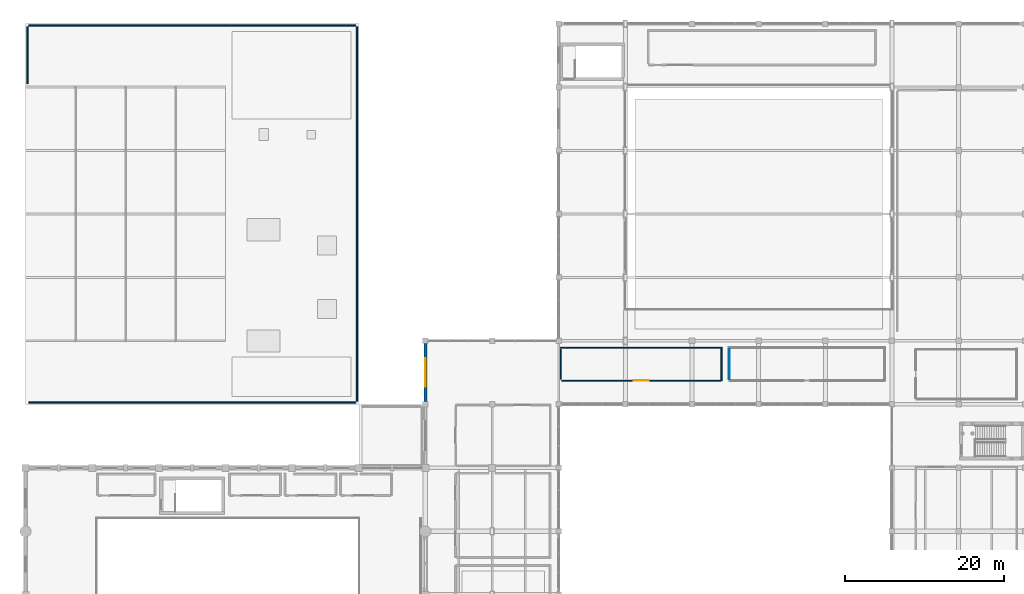
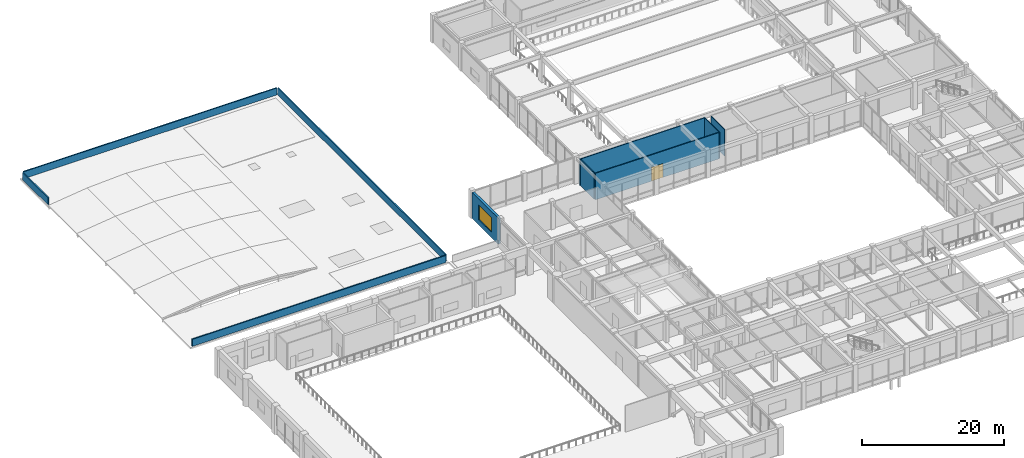
# One storey, part 55 of 76: 10 walls, 1 door, 1 window, 2 openings.
"""IFC4 building model written with IfcOpenShell, lengths in metres."""

import ifcopenshell
import ifcopenshell.guid

model = None  # the IFC model being written
_history = None  # IfcOwnerHistory: only IFC2X3 demands one
_inside = {}  # id of a spatial element -> (the spatial element, [elements in it])
_under = {}  # id of a project, library or spatial element -> (it, [spatial elements below it])
_declared = {}  # id of a project -> (the project, [libraries it declares])
_typed = {}  # id of a type object -> (the type object, [elements of that type])
_made_of = {}  # id of a material, layer set ... -> (it, [elements and type objects made of it])


def new_model(schema):
    """Start an empty IFC model of exactly this schema.

    Asked for "IFC4X3", IfcOpenShell would pick the latest addendum, in which some entities
    have other attributes; the version numbers below select the first issue.
    IFC2X3 requires an IfcOwnerHistory on every rooted entity: one is made here for all.
    """
    global model, _history
    if schema == "IFC4X3":
        model = ifcopenshell.file(schema_version=(4, 3, 0, 0))
    else:
        model = ifcopenshell.file(schema=schema)
    _inside.clear()
    _under.clear()
    _declared.clear()
    _typed.clear()
    _made_of.clear()
    _history = None
    if model.schema == "IFC2X3":
        org = make("IfcOrganization", Name="unknown")
        user = make(
            "IfcPersonAndOrganization",
            ThePerson=make("IfcPerson", FamilyName="unknown"),
            TheOrganization=org,
        )
        app = make(
            "IfcApplication",
            ApplicationDeveloper=org,
            Version="unknown",
            ApplicationFullName="unknown",
            ApplicationIdentifier="unknown",
        )
        _history = make(
            "IfcOwnerHistory",
            OwningUser=user,
            OwningApplication=app,
            ChangeAction="ADDED",
            CreationDate=0,
        )
    return model


def make(cls, **values):
    """One entity of the class cls with the attributes given. An attribute that is None is left unset."""
    return model.create_entity(
        cls, **{name: value for name, value in values.items() if value is not None}
    )


def rooted(cls, **values):
    """An entity with a GlobalId (a new one), such as an element, a storey or a relation."""
    return make(cls, GlobalId=ifcopenshell.guid.new(), OwnerHistory=_history, **values)


def si_unit(unit_type, name, prefix=None):
    """IfcSIUnit, for example si_unit("LENGTHUNIT", "METRE", prefix="MILLI")."""
    return make("IfcSIUnit", UnitType=unit_type, Prefix=prefix, Name=name)


def assignment(units):
    """IfcUnitAssignment: the units of a project."""
    return None if units is None else make("IfcUnitAssignment", Units=units)


def point(xyz):
    """IfcCartesianPoint."""
    return None if xyz is None else make("IfcCartesianPoint", Coordinates=xyz)


def direction(xyz):
    """IfcDirection."""
    return None if xyz is None else make("IfcDirection", DirectionRatios=xyz)


def frame(location, z_axis=None, x_axis=None):
    """IfcAxis2Placement3D, a coordinate frame: its origin and axes. An axis left out is left unset."""
    return make(
        "IfcAxis2Placement3D",
        Location=point(location),
        Axis=direction(z_axis),
        RefDirection=direction(x_axis),
    )


def frame_2d(location, x_axis=None):
    """IfcAxis2Placement2D, a coordinate frame in the plane: its origin and x axis."""
    return make(
        "IfcAxis2Placement2D", Location=point(location), RefDirection=direction(x_axis)
    )


def origin():
    """The frame at (0, 0, 0) with its axes left unset."""
    return frame((0.0, 0.0, 0.0))


def place(relative_to, where):
    """IfcLocalPlacement: puts the frame where relative to a parent placement (None: the world)."""
    return make(
        "IfcLocalPlacement", PlacementRelTo=relative_to, RelativePlacement=where
    )


def context(
    kind, dimensions, precision=None, world=None, true_north=None, identifier=None
):
    """IfcGeometricRepresentationContext, for example the 3D "Model" context."""
    return make(
        "IfcGeometricRepresentationContext",
        ContextIdentifier=identifier,
        ContextType=kind,
        CoordinateSpaceDimension=dimensions,
        Precision=precision,
        WorldCoordinateSystem=world,
        TrueNorth=true_north,
    )


def subcontext(parent, identifier, kind, view, scale=None):
    """IfcGeometricRepresentationSubContext, for example "Body" below "Model"."""
    return make(
        "IfcGeometricRepresentationSubContext",
        ContextIdentifier=identifier,
        ContextType=kind,
        ParentContext=parent,
        TargetScale=scale,
        TargetView=view,
    )


def project(units=None, contexts=None):
    """IfcProject with its units and contexts."""
    return rooted(
        "IfcProject",
        Name="project",
        RepresentationContexts=contexts,
        UnitsInContext=assignment(units),
    )


def spatial(cls, under=None, at=None, **own):
    """A site, building, storey or space (cls), placed at a placement, below another one or the project."""
    s = rooted(cls, ObjectPlacement=at, **own)
    if under is not None:
        _under.setdefault(under.id(), (under, []))[1].append(s)
    return s


def profile(cls, at=None, kind="AREA", **sizes):
    """A parametric profile (cls). Its sizes go by their IFC names, for example OverallWidth=200.0."""
    return make(cls, ProfileType=kind, Position=at, **sizes)


def rectangle(**sizes):
    """IfcRectangleProfileDef."""
    return profile("IfcRectangleProfileDef", **sizes)


def extrude(swept, where, along, depth):
    """IfcExtrudedAreaSolid: the profile swept, set in the frame where, extruded along a direction by depth."""
    return make(
        "IfcExtrudedAreaSolid",
        SweptArea=swept,
        Position=where,
        ExtrudedDirection=direction(along),
        Depth=depth,
    )


def shape(context_of_items, identifier, shape_type, items):
    """IfcShapeRepresentation: the items that make up one representation, for example the "Body"."""
    return make(
        "IfcShapeRepresentation",
        ContextOfItems=context_of_items,
        RepresentationIdentifier=identifier,
        RepresentationType=shape_type,
        Items=items,
    )


def material(Name=None, Category=None):
    """IfcMaterial."""
    return make("IfcMaterial", Name=Name, Category=Category)


def layer(
    of_material, thickness, ventilated=None, Name=None, Category=None, Priority=None
):
    """IfcMaterialLayer: one layer of a wall or slab, of a material (None: an air gap)."""
    return make(
        "IfcMaterialLayer",
        Material=of_material,
        LayerThickness=thickness,
        IsVentilated=ventilated,
        Name=Name,
        Category=Category,
        Priority=Priority,
    )


def layer_set(layers, Name=None):
    """IfcMaterialLayerSet."""
    return make("IfcMaterialLayerSet", MaterialLayers=layers, LayerSetName=Name)


def made_of(thing, what):
    """Note that an element or type object is made of a material, layer set ...; save() writes the relation."""
    if what is not None:
        _made_of.setdefault(what.id(), (what, []))[1].append(thing)
    return thing


def type_object(cls, material=None, **own):
    """A type object (cls), such as IfcWallType, which elements share."""
    return made_of(rooted(cls, **own), material)


def element(
    cls,
    number,
    at=None,
    inside=None,
    cuts=None,
    type_object=None,
    material=None,
    context=None,
    identifier="Body",
    shape_type=None,
    held_by="IfcProductDefinitionShape",
    body=None,
    shapes=None,
    **own,
):
    """One element of the class cls, such as IfcWall. Its Tag is "e" and its number.

    at: its placement. inside: the storey or other place that contains it. cuts: it is an
    opening in that element (IfcRelVoidsElement). A single representation is given by context,
    identifier, shape_type and body (its items); several are given by shapes. held_by: the class
    of the entity that holds the representations. save() writes the other relations.
    """
    e = rooted(cls, Tag="e%d" % number, ObjectPlacement=at, **own)
    if body is not None:
        shapes = [shape(context, identifier, shape_type, body)]
    if shapes is not None:
        e.Representation = make(held_by, Representations=shapes)
    if inside is not None:
        _inside.setdefault(inside.id(), (inside, []))[1].append(e)
    if cuts is not None:
        rooted(
            "IfcRelVoidsElement", RelatingBuildingElement=cuts, RelatedOpeningElement=e
        )
    if type_object is not None:
        _typed.setdefault(type_object.id(), (type_object, []))[1].append(e)
    return made_of(e, material)


def fill(opening, filler):
    """IfcRelFillsElement: the door or window that sits in an opening."""
    return rooted(
        "IfcRelFillsElement",
        RelatingOpeningElement=opening,
        RelatedBuildingElement=filler,
    )


def aggregate(whole, parts):
    """IfcRelAggregates: a whole, such as a stair, and the parts it consists of."""
    return rooted("IfcRelAggregates", RelatingObject=whole, RelatedObjects=parts)


def save(model, path):
    """Write the relations noted so far, then the file.

    IfcRelAggregates (storeys below a building ...), IfcRelContainedInSpatialStructure (elements
    in a storey), IfcRelDefinesByType, IfcRelAssociatesMaterial and IfcRelDeclares: one each for
    every whole, place, type object, material and project.
    """
    for whole, parts in _under.values():
        aggregate(whole, parts)
    for where, things in _inside.values():
        rooted(
            "IfcRelContainedInSpatialStructure",
            RelatedElements=things,
            RelatingStructure=where,
        )
    for kind, things in _typed.values():
        rooted("IfcRelDefinesByType", RelatedObjects=things, RelatingType=kind)
    for what, things in _made_of.values():
        rooted("IfcRelAssociatesMaterial", RelatedObjects=things, RelatingMaterial=what)
    for by, libraries in _declared.values():
        rooted("IfcRelDeclares", RelatingContext=by, RelatedDefinitions=libraries)
    model.write(path)


model = new_model("IFC4")

# Units and contexts
model_context = context("Model", 3, precision=1e-05, world=origin(), true_north=direction((0.0, 1.0)))
body_context = subcontext(model_context, "Body", "Model", "MODEL_VIEW")
ifc_project = project(units=[si_unit("LENGTHUNIT", "METRE"), si_unit("AREAUNIT", "SQUARE_METRE"), si_unit("VOLUMEUNIT", "CUBIC_METRE"), si_unit("PLANEANGLEUNIT", "RADIAN"), si_unit("MASSUNIT", "GRAM", prefix="KILO")], contexts=[model_context])

# Site, building, storey
site_placement = place(None, origin())
site = spatial("IfcSite", under=ifc_project, at=site_placement, CompositionType="ELEMENT")
building_placement = place(site_placement, origin())
building = spatial("IfcBuilding", under=site, at=building_placement, Name="Naruveol Harbour Congress Hotel", CompositionType="ELEMENT")
storey_placement = place(building_placement, frame((0.0, 0.0, 11.39990234375)))
storey = spatial("IfcBuildingStorey", under=building, at=storey_placement, Name="L02", CompositionType="ELEMENT", Elevation=11.39990234375)

# Wall, opening, door
ifc_material_1 = material(Name="Acoustic Double Stud Gypsum", Category="gypsum")
ifc_layer_1 = layer(ifc_material_1, 0.139892578125)
ifc_layer_set_1 = layer_set([ifc_layer_1], Name="Acoustic Double Stud Gypsum")
wall_type_1 = type_object("IfcWallType", Name="ACOUSTIC MEETING PARTITION WALL 140", PredefinedType="PARTITIONING", material=ifc_layer_set_1)
wall_1_placement = place(storey_placement, frame((67.56005859375, 67.0, 0.0), z_axis=(0.0, 0.0, 1.0), x_axis=(1.0, 0.0, 0.0)))
wall_1 = element("IfcWall", 1, at=wall_1_placement, inside=storey, type_object=wall_type_1, Name="Breakout Salon 205 south entry wall PW-140", PredefinedType="PARTITIONING", context=body_context, shape_type="SweptSolid", body=[
    extrude(rectangle(XDim=20.079833984375, YDim=0.139892578125, at=frame_2d((10.0400390625, 0.0))), origin(), (0.0, 0.0, 1.0), 4.53515625),
])
opening_1_placement = place(wall_1_placement, frame((9.090087890625, 0.0, 0.0)))
opening_1 = element("IfcOpeningElement", 2, at=opening_1_placement, cuts=wall_1, Name="Opening ID-LG-71", PredefinedType="OPENING", context=body_context, shape_type="SweptSolid", body=[
    extrude(rectangle(XDim=1.89990234375, YDim=2.39990234375, at=frame_2d((0.949951171875, 1.199951171875))), frame((0.0, 0.079833984375, 0.0), z_axis=(0.0, -1.0, 0.0), x_axis=(1.0, 0.0, 0.0)), (0.0, 0.0, 1.0), 0.159912109375),
])
ifc_material_2 = material(Name="Timber & Steel Acoustic Leaf", Category="steel")
door_type = type_object("IfcDoorType", Name="RESTAURANT AND LOUNGE GLAZED DOOR 1900X2400", OperationType="DOUBLE_DOOR_SINGLE_SWING", PredefinedType="DOOR", material=ifc_material_2)
door_placement = place(opening_1_placement, origin())
door = element("IfcDoor", 3, at=door_placement, inside=storey, type_object=door_type, Name="Breakout Salon 205 Entrance Door", OperationType="DOUBLE_DOOR_SINGLE_SWING", OverallHeight=2.39990234375, OverallWidth=1.89990234375, PredefinedType="DOOR", context=body_context, shape_type="SweptSolid", body=[
    extrude(rectangle(XDim=1.89990234375, YDim=2.39990234375, at=frame_2d((0.949951171875, 1.199951171875))), frame((0.0, 0.02490234375, 0.0), z_axis=(0.0, -1.0, 0.0), x_axis=(1.0, 0.0, 0.0)), (0.0, 0.0, 1.0), 0.050048828125),
])
fill(opening_1, door)

# Walls
wall_2_placement = place(storey_placement, frame((67.47998046875, 67.139892578125, 0.0), z_axis=(0.0, 0.0, 1.0), x_axis=(0.0, 1.0, 0.0)))
element("IfcWall", 4, at=wall_2_placement, inside=storey, type_object=wall_type_1, Name="Breakout Salon 205 west partition PW-140", PredefinedType="PARTITIONING", context=body_context, shape_type="SweptSolid", body=[
    extrude(rectangle(XDim=3.81005859375, YDim=0.139892578125, at=frame_2d((1.905029296875, 0.0))), origin(), (0.0, 0.0, 1.0), 4.53515625),
])
wall_3_placement = place(storey_placement, frame((87.719970703125, 67.011962890625, 0.0), z_axis=(0.0, 0.0, 1.0), x_axis=(0.0, 1.0, 0.0)))
element("IfcWall", 5, at=wall_3_placement, inside=storey, type_object=wall_type_1, Name="Breakout Salon 205 east enclosure partition PW-140", PredefinedType="PARTITIONING", context=body_context, shape_type="SweptSolid", body=[
    extrude(rectangle(XDim=4.18798828125, YDim=0.139892578125, at=frame_2d((2.093994140625, 0.0))), origin(), (0.0, 0.0, 1.0), 4.53515625),
])
wall_4_placement = place(storey_placement, frame((67.39990234375, 71.1201171875, 0.0), z_axis=(0.0, 0.0, 1.0), x_axis=(1.0, 0.0, 0.0)))
element("IfcWall", 6, at=wall_4_placement, inside=storey, type_object=wall_type_1, Name="Breakout Salon 205 north enclosure partition PW-140", PredefinedType="PARTITIONING", context=body_context, shape_type="SweptSolid", body=[
    extrude(rectangle(XDim=20.25, YDim=0.139892578125, at=frame_2d((10.125, 0.0))), origin(), (0.0, 0.0, 1.0), 4.53515625),
])

# Wall, opening, window
ifc_material_3 = material(Name="Concrete C40/50", Category="concrete")
ifc_layer_2 = layer(ifc_material_3, 0.3798828125)
ifc_layer_set_2 = layer_set([ifc_layer_2], Name="Concrete C40/50")
wall_type_2 = type_object("IfcWallType", Name="INSULATED GRANITE FACADE WALL 380", PredefinedType="SOLIDWALL", material=ifc_layer_set_2)
wall_5_placement = place(storey_placement, frame((50.39990234375, 64.35009765625, 0.0), z_axis=(0.0, 0.0, 1.0), x_axis=(0.0, 1.0, 0.0)))
wall_5 = element("IfcWall", 7, at=wall_5_placement, inside=storey, type_object=wall_type_2, Name="Main arrival forecourt north bay EW-380", PredefinedType="SOLIDWALL", context=body_context, shape_type="SweptSolid", body=[
    extrude(rectangle(XDim=7.2998046875, YDim=0.3798828125, at=frame_2d((3.64990234375, 0.0))), origin(), (0.0, 0.0, 1.0), 4.5),
])
opening_2_placement = place(wall_5_placement, frame((1.85009765625, 0.0, 0.89990234375)))
opening_2 = element("IfcOpeningElement", 8, at=opening_2_placement, cuts=wall_5, Name="Opening W-12", PredefinedType="OPENING", context=body_context, shape_type="SweptSolid", body=[
    extrude(rectangle(XDim=3.60009765625, YDim=2.5, at=frame_2d((1.800048828125, 1.25))), frame((0.0, 0.199951171875, 0.0), z_axis=(0.0, -1.0, 0.0), x_axis=(1.0, 0.0, 0.0)), (0.0, 0.0, 1.0), 0.39990234375),
])
ifc_material_4 = material(Name="Low-E Triple Glazing in Thermal Aluminium", Category="aluminium")
window_type = type_object("IfcWindowType", Name="CONCOURSE PICTURE WINDOW 3600X2500", PartitioningType="DOUBLE_PANEL_VERTICAL", PredefinedType="WINDOW", material=ifc_material_4)
window_placement = place(opening_2_placement, origin())
window = element("IfcWindow", 9, at=window_placement, inside=storey, type_object=window_type, Name="Window W-12 #153", OverallHeight=2.5, OverallWidth=3.60009765625, PartitioningType="DOUBLE_PANEL_VERTICAL", PredefinedType="WINDOW", context=body_context, shape_type="SweptSolid", body=[
    extrude(rectangle(XDim=3.60009765625, YDim=2.5, at=frame_2d((1.800048828125, 1.25))), frame((0.0, 0.030029296875, 0.0), z_axis=(0.0, -1.0, 0.0), x_axis=(1.0, 0.0, 0.0)), (0.0, 0.0, 1.0), 0.06005859375),
])
fill(opening_2, window)

# Walls
ifc_material_5 = material(Name="Concrete C40/50", Category="concrete")
ifc_layer_3 = layer(ifc_material_5, 0.18994140625)
ifc_layer_set_3 = layer_set([ifc_layer_3], Name="Concrete C40/50")
wall_type_3 = type_object("IfcWallType", Name="RC ROOF PARAPET UPSTAND WALL 190", PredefinedType="PARAPET", material=ifc_layer_set_3)
wall_6_placement = place(storey_placement, frame((0.389892578125, 64.25, 0.0), z_axis=(0.0, 0.0, 1.0), x_axis=(1.0, 0.0, 0.0)))
element("IfcWall", 10, at=wall_6_placement, inside=storey, type_object=wall_type_3, Name="Roof parapet upstand PW-190", PredefinedType="PARAPET", context=body_context, shape_type="SweptSolid", body=[
    extrude(rectangle(XDim=41.22021484375, YDim=0.18994140625, at=frame_2d((20.610107421875, 0.0))), origin(), (0.0, 0.0, 1.0), 1.2001953125),
])
wall_7_placement = place(storey_placement, frame((41.75, 64.389892578125, 0.0), z_axis=(0.0, 0.0, 1.0), x_axis=(0.0, 1.0, 0.0)))
element("IfcWall", 11, at=wall_7_placement, inside=storey, type_object=wall_type_3, Name="Roof parapet upstand PW-190", PredefinedType="PARAPET", context=body_context, shape_type="SweptSolid", body=[
    extrude(rectangle(XDim=47.22021484375, YDim=0.18994140625, at=frame_2d((23.610107421875, 0.0))), origin(), (0.0, 0.0, 1.0), 1.2001953125),
])
wall_8_placement = place(storey_placement, frame((41.610107421875, 111.75, 0.0), z_axis=(0.0, 0.0, 1.0), x_axis=(-1.0, 0.0, 0.0)))
element("IfcWall", 12, at=wall_8_placement, inside=storey, type_object=wall_type_3, Name="Roof parapet upstand PW-190", PredefinedType="PARAPET", context=body_context, shape_type="SweptSolid", body=[
    extrude(rectangle(XDim=41.22021484375, YDim=0.18994140625, at=frame_2d((20.610107421875, 0.0))), origin(), (0.0, 0.0, 1.0), 1.2001953125),
])
wall_9_placement = place(storey_placement, frame((0.25, 111.610107421875, 0.0), z_axis=(0.0, 0.0, 1.0), x_axis=(0.0, -1.0, 0.0)))
element("IfcWall", 13, at=wall_9_placement, inside=storey, type_object=wall_type_3, Name="Roof parapet upstand PW-190", PredefinedType="PARAPET", context=body_context, shape_type="SweptSolid", body=[
    extrude(rectangle(XDim=7.22021484375, YDim=0.18994140625, at=frame_2d((3.610107421875, 0.0))), origin(), (0.0, 0.0, 1.0), 1.2001953125),
])
ifc_material_6 = material(Name="Acoustic Double Stud Gypsum", Category="gypsum")
ifc_layer_4 = layer(ifc_material_6, 0.125)
ifc_layer_set_4 = layer_set([ifc_layer_4], Name="Acoustic Double Stud Gypsum")
wall_type_4 = type_object("IfcWallType", Name="SERVICE CHASE PARTITION WALL 125", PredefinedType="PARTITIONING", material=ifc_layer_set_4)
wall_10_placement = place(storey_placement, frame((88.679931640625, 67.139892578125, 0.0), z_axis=(0.0, 0.0, 1.0), x_axis=(0.0, 1.0, 0.0)))
element("IfcWall", 14, at=wall_10_placement, inside=storey, type_object=wall_type_4, Name="Public Restrooms west partition PW-125", PredefinedType="PARTITIONING", context=body_context, shape_type="SweptSolid", body=[
    extrude(rectangle(XDim=3.81005859375, YDim=0.125, at=frame_2d((1.905029296875, 0.0))), origin(), (0.0, 0.0, 1.0), 4.53515625),
])

save(model, "model.ifc")
